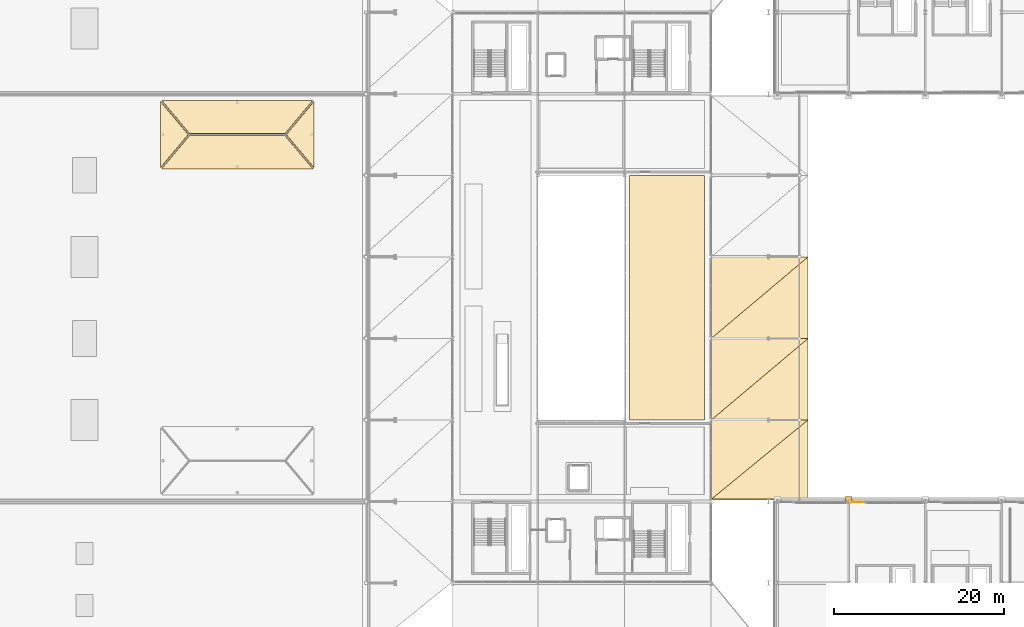
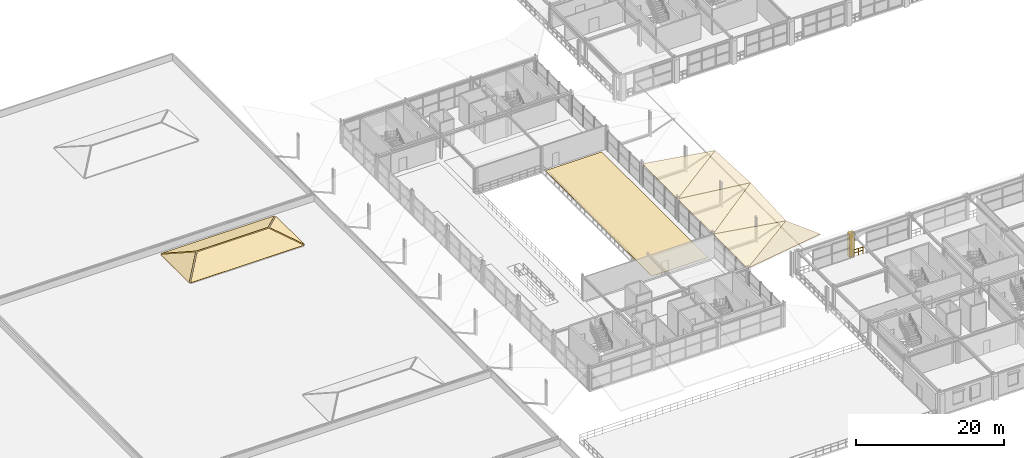
# One storey, part 69 of 81: 12 coverings, 1 railing.
"""IFC4 building model written with IfcOpenShell, lengths in metres."""

import ifcopenshell
import ifcopenshell.guid

model = None  # the IFC model being written
_history = None  # IfcOwnerHistory: only IFC2X3 demands one
_inside = {}  # id of a spatial element -> (the spatial element, [elements in it])
_under = {}  # id of a project, library or spatial element -> (it, [spatial elements below it])
_declared = {}  # id of a project -> (the project, [libraries it declares])
_typed = {}  # id of a type object -> (the type object, [elements of that type])
_made_of = {}  # id of a material, layer set ... -> (it, [elements and type objects made of it])


def new_model(schema):
    """Start an empty IFC model of exactly this schema.

    Asked for "IFC4X3", IfcOpenShell would pick the latest addendum, in which some entities
    have other attributes; the version numbers below select the first issue.
    IFC2X3 requires an IfcOwnerHistory on every rooted entity: one is made here for all.
    """
    global model, _history
    if schema == "IFC4X3":
        model = ifcopenshell.file(schema_version=(4, 3, 0, 0))
    else:
        model = ifcopenshell.file(schema=schema)
    _inside.clear()
    _under.clear()
    _declared.clear()
    _typed.clear()
    _made_of.clear()
    _history = None
    if model.schema == "IFC2X3":
        org = make("IfcOrganization", Name="unknown")
        user = make(
            "IfcPersonAndOrganization",
            ThePerson=make("IfcPerson", FamilyName="unknown"),
            TheOrganization=org,
        )
        app = make(
            "IfcApplication",
            ApplicationDeveloper=org,
            Version="unknown",
            ApplicationFullName="unknown",
            ApplicationIdentifier="unknown",
        )
        _history = make(
            "IfcOwnerHistory",
            OwningUser=user,
            OwningApplication=app,
            ChangeAction="ADDED",
            CreationDate=0,
        )
    return model


def make(cls, **values):
    """One entity of the class cls with the attributes given. An attribute that is None is left unset."""
    return model.create_entity(
        cls, **{name: value for name, value in values.items() if value is not None}
    )


def rooted(cls, **values):
    """An entity with a GlobalId (a new one), such as an element, a storey or a relation."""
    return make(cls, GlobalId=ifcopenshell.guid.new(), OwnerHistory=_history, **values)


def si_unit(unit_type, name, prefix=None):
    """IfcSIUnit, for example si_unit("LENGTHUNIT", "METRE", prefix="MILLI")."""
    return make("IfcSIUnit", UnitType=unit_type, Prefix=prefix, Name=name)


def assignment(units):
    """IfcUnitAssignment: the units of a project."""
    return None if units is None else make("IfcUnitAssignment", Units=units)


def point(xyz):
    """IfcCartesianPoint."""
    return None if xyz is None else make("IfcCartesianPoint", Coordinates=xyz)


def direction(xyz):
    """IfcDirection."""
    return None if xyz is None else make("IfcDirection", DirectionRatios=xyz)


def frame(location, z_axis=None, x_axis=None):
    """IfcAxis2Placement3D, a coordinate frame: its origin and axes. An axis left out is left unset."""
    return make(
        "IfcAxis2Placement3D",
        Location=point(location),
        Axis=direction(z_axis),
        RefDirection=direction(x_axis),
    )


def frame_2d(location, x_axis=None):
    """IfcAxis2Placement2D, a coordinate frame in the plane: its origin and x axis."""
    return make(
        "IfcAxis2Placement2D", Location=point(location), RefDirection=direction(x_axis)
    )


def origin():
    """The frame at (0, 0, 0) with its axes left unset."""
    return frame((0.0, 0.0, 0.0))


def origin_2d():
    """The frame at (0, 0) in the plane with its x axis left unset."""
    return frame_2d((0.0, 0.0))


def place(relative_to, where):
    """IfcLocalPlacement: puts the frame where relative to a parent placement (None: the world)."""
    return make(
        "IfcLocalPlacement", PlacementRelTo=relative_to, RelativePlacement=where
    )


def context(
    kind, dimensions, precision=None, world=None, true_north=None, identifier=None
):
    """IfcGeometricRepresentationContext, for example the 3D "Model" context."""
    return make(
        "IfcGeometricRepresentationContext",
        ContextIdentifier=identifier,
        ContextType=kind,
        CoordinateSpaceDimension=dimensions,
        Precision=precision,
        WorldCoordinateSystem=world,
        TrueNorth=true_north,
    )


def subcontext(parent, identifier, kind, view, scale=None):
    """IfcGeometricRepresentationSubContext, for example "Body" below "Model"."""
    return make(
        "IfcGeometricRepresentationSubContext",
        ContextIdentifier=identifier,
        ContextType=kind,
        ParentContext=parent,
        TargetScale=scale,
        TargetView=view,
    )


def project(units=None, contexts=None):
    """IfcProject with its units and contexts."""
    return rooted(
        "IfcProject",
        Name="project",
        RepresentationContexts=contexts,
        UnitsInContext=assignment(units),
    )


def spatial(cls, under=None, at=None, **own):
    """A site, building, storey or space (cls), placed at a placement, below another one or the project."""
    s = rooted(cls, ObjectPlacement=at, **own)
    if under is not None:
        _under.setdefault(under.id(), (under, []))[1].append(s)
    return s


def polyline(points):
    """IfcPolyline through the points."""
    return make("IfcPolyline", Points=[point(p) for p in points])


def profile(cls, at=None, kind="AREA", **sizes):
    """A parametric profile (cls). Its sizes go by their IFC names, for example OverallWidth=200.0."""
    return make(cls, ProfileType=kind, Position=at, **sizes)


def rectangle(**sizes):
    """IfcRectangleProfileDef."""
    return profile("IfcRectangleProfileDef", **sizes)


def outline(outer, holes=None, kind="AREA"):
    """IfcArbitraryClosedProfileDef: a profile drawn as a closed curve; with holes, ...WithVoids."""
    if holes is None:
        return make("IfcArbitraryClosedProfileDef", ProfileType=kind, OuterCurve=outer)
    return make(
        "IfcArbitraryProfileDefWithVoids",
        ProfileType=kind,
        OuterCurve=outer,
        InnerCurves=holes,
    )


def extrude(swept, where, along, depth):
    """IfcExtrudedAreaSolid: the profile swept, set in the frame where, extruded along a direction by depth."""
    return make(
        "IfcExtrudedAreaSolid",
        SweptArea=swept,
        Position=where,
        ExtrudedDirection=direction(along),
        Depth=depth,
    )


def shape(context_of_items, identifier, shape_type, items):
    """IfcShapeRepresentation: the items that make up one representation, for example the "Body"."""
    return make(
        "IfcShapeRepresentation",
        ContextOfItems=context_of_items,
        RepresentationIdentifier=identifier,
        RepresentationType=shape_type,
        Items=items,
    )


def material(Name=None, Category=None):
    """IfcMaterial."""
    return make("IfcMaterial", Name=Name, Category=Category)


def layer(
    of_material, thickness, ventilated=None, Name=None, Category=None, Priority=None
):
    """IfcMaterialLayer: one layer of a wall or slab, of a material (None: an air gap)."""
    return make(
        "IfcMaterialLayer",
        Material=of_material,
        LayerThickness=thickness,
        IsVentilated=ventilated,
        Name=Name,
        Category=Category,
        Priority=Priority,
    )


def layer_set(layers, Name=None):
    """IfcMaterialLayerSet."""
    return make("IfcMaterialLayerSet", MaterialLayers=layers, LayerSetName=Name)


def made_of(thing, what):
    """Note that an element or type object is made of a material, layer set ...; save() writes the relation."""
    if what is not None:
        _made_of.setdefault(what.id(), (what, []))[1].append(thing)
    return thing


def type_object(cls, material=None, **own):
    """A type object (cls), such as IfcWallType, which elements share."""
    return made_of(rooted(cls, **own), material)


def element(
    cls,
    number,
    at=None,
    inside=None,
    cuts=None,
    type_object=None,
    material=None,
    context=None,
    identifier="Body",
    shape_type=None,
    held_by="IfcProductDefinitionShape",
    body=None,
    shapes=None,
    **own,
):
    """One element of the class cls, such as IfcWall. Its Tag is "e" and its number.

    at: its placement. inside: the storey or other place that contains it. cuts: it is an
    opening in that element (IfcRelVoidsElement). A single representation is given by context,
    identifier, shape_type and body (its items); several are given by shapes. held_by: the class
    of the entity that holds the representations. save() writes the other relations.
    """
    e = rooted(cls, Tag="e%d" % number, ObjectPlacement=at, **own)
    if body is not None:
        shapes = [shape(context, identifier, shape_type, body)]
    if shapes is not None:
        e.Representation = make(held_by, Representations=shapes)
    if inside is not None:
        _inside.setdefault(inside.id(), (inside, []))[1].append(e)
    if cuts is not None:
        rooted(
            "IfcRelVoidsElement", RelatingBuildingElement=cuts, RelatedOpeningElement=e
        )
    if type_object is not None:
        _typed.setdefault(type_object.id(), (type_object, []))[1].append(e)
    return made_of(e, material)


def aggregate(whole, parts):
    """IfcRelAggregates: a whole, such as a stair, and the parts it consists of."""
    return rooted("IfcRelAggregates", RelatingObject=whole, RelatedObjects=parts)


def save(model, path):
    """Write the relations noted so far, then the file.

    IfcRelAggregates (storeys below a building ...), IfcRelContainedInSpatialStructure (elements
    in a storey), IfcRelDefinesByType, IfcRelAssociatesMaterial and IfcRelDeclares: one each for
    every whole, place, type object, material and project.
    """
    for whole, parts in _under.values():
        aggregate(whole, parts)
    for where, things in _inside.values():
        rooted(
            "IfcRelContainedInSpatialStructure",
            RelatedElements=things,
            RelatingStructure=where,
        )
    for kind, things in _typed.values():
        rooted("IfcRelDefinesByType", RelatedObjects=things, RelatingType=kind)
    for what, things in _made_of.values():
        rooted("IfcRelAssociatesMaterial", RelatedObjects=things, RelatingMaterial=what)
    for by, libraries in _declared.values():
        rooted("IfcRelDeclares", RelatingContext=by, RelatedDefinitions=libraries)
    model.write(path)


model = new_model("IFC4")

# Units and contexts
model_context = context("Model", 3, precision=1e-05, world=origin(), true_north=direction((0.0, 1.0)))
body_context = subcontext(model_context, "Body", "Model", "MODEL_VIEW")
ifc_project = project(units=[si_unit("LENGTHUNIT", "METRE"), si_unit("AREAUNIT", "SQUARE_METRE"), si_unit("VOLUMEUNIT", "CUBIC_METRE"), si_unit("PLANEANGLEUNIT", "RADIAN"), si_unit("MASSUNIT", "GRAM", prefix="KILO")], contexts=[model_context])

# Site, building, storey
site_placement = place(None, origin())
site = spatial("IfcSite", under=ifc_project, at=site_placement, CompositionType="ELEMENT")
building_placement = place(site_placement, origin())
building = spatial("IfcBuilding", under=site, at=building_placement, Name="Myrtia Square Station", CompositionType="ELEMENT")
storey_placement = place(building_placement, frame((0.0, 0.0, 10.800048828125)))
storey = spatial("IfcBuildingStorey", under=building, at=storey_placement, Name="L02", CompositionType="ELEMENT", Elevation=10.800048828125)

# Coverings
ifc_material_1 = material(Name="Pentelic marble ashlar", Category="masonry")
ifc_layer_1 = layer(ifc_material_1, 0.4599609375, Name="Pentelic marble ashlar")
ifc_layer_set_1 = layer_set([ifc_layer_1], Name="Pentelic marble ashlar")
covering_type_1 = type_object("IfcCoveringType", Name="COV-ARCH-ASHLAR", PredefinedType="CLADDING", material=ifc_layer_set_1)
covering_1_placement = place(storey_placement, frame((126.0, 38.719970703125, -0.0400390625), z_axis=(0.0, 0.0, 1.0), x_axis=(1.0, 0.0, 0.0)))
element("IfcCovering", 1, at=covering_1_placement, inside=storey, type_object=covering_type_1, Name="Classical Pentelic ashlar pilaster 013", PredefinedType="CLADDING", context=body_context, shape_type="SweptSolid", body=[
    extrude(rectangle(XDim=0.780029296875, YDim=0.56005859375, at=origin_2d()), origin(), (0.0, 0.0, 1.0), 3.93994140625),
])
ifc_material_2 = material(Name="Terrazzo stone tile", Category="masonry")
ifc_layer_2 = layer(ifc_material_2, 0.02490234375, Name="Terrazzo stone tile")
ifc_layer_set_2 = layer_set([ifc_layer_2], Name="Terrazzo stone tile")
covering_type_2 = type_object("IfcCoveringType", Name="COV-FLR-TERRAZZO", PredefinedType="FLOORING", material=ifc_layer_set_2)
covering_2_placement = place(storey_placement, origin())
element("IfcCovering", 2, at=covering_2_placement, inside=storey, type_object=covering_type_2, Name="Terrazzo concourse flooring L02-04", PredefinedType="FLOORING", context=body_context, shape_type="SweptSolid", body=[
    extrude(outline(polyline([(100.199951171875, 76.799072265625), (109.0, 76.799072265625), (109.0, 48.0009765625), (100.199951171875, 48.0009765625), (100.199951171875, 76.799072265625)])), origin(), (0.0, 0.0, 1.0), 0.02490234375),
])
ifc_material_3 = material(Name="Terracotta clay barrel tiles", Category="masonry")
ifc_layer_3 = layer(ifc_material_3, 0.06494140625, Name="Terracotta clay barrel tiles")
ifc_layer_set_3 = layer_set([ifc_layer_3], Name="Terracotta clay barrel tiles")
covering_type_3 = type_object("IfcCoveringType", Name="COV-TILE-TERRACOTTA", PredefinedType="ROOFING", material=ifc_layer_set_3)
covering_3_placement = place(storey_placement, frame((121.191162109375, 38.672607421875, 5.295166015625), z_axis=(-0.137173530302, 0.345947029423, 0.928172438407), x_axis=(0.0, 0.937030154481, -0.349248463981)))
element("IfcCovering", 3, at=covering_3_placement, inside=storey, type_object=covering_type_3, Name="Terracotta clay barrel-tile roofing 085", PredefinedType="ROOFING", context=body_context, shape_type="SweptSolid", body=[
    extrude(outline(polyline([(0.0, 0.0), (9.97817783228229, 5.551115123125783e-17), (0.5884188598462441, 11.50894012722474), (0.0, 0.0)])), origin(), (0.0, 0.0, -1.0), 0.06494140625),
])
covering_4_placement = place(storey_placement, frame((109.81005859375, 38.64990234375, 3.6142578125), z_axis=(0.155964745994, 0.0, 0.987762622297), x_axis=(0.767503338735, 0.629485873582, -0.121186467855)))
element("IfcCovering", 4, at=covering_4_placement, inside=storey, type_object=covering_type_3, Name="Terracotta clay barrel-tile roofing 086", PredefinedType="ROOFING", context=body_context, shape_type="SweptSolid", body=[
    extrude(outline(polyline([(0.0, 0.0), (14.85354643949564, -4.996003610813204e-16), (5.885754391217313, 7.26513739909149), (0.0, 0.0)])), origin(), (0.0, 0.0, -1.0), 0.06494140625),
])
covering_5_placement = place(storey_placement, frame((109.81005859375, 47.996826171875, 3.614013671875), z_axis=(0.155774889274, -0.049326756183, 0.986560213568), x_axis=(0.987762622297, 0.0, -0.155964745994)))
element("IfcCovering", 5, at=covering_5_placement, inside=storey, type_object=covering_type_3, Name="Terracotta clay barrel-tile roofing 087", PredefinedType="ROOFING", context=body_context, shape_type="SweptSolid", body=[
    extrude(outline(polyline([(0.0, 0.0), (11.54138274423138, 0.0), (11.466522712340646, 9.611553711417551), (0.0, 0.0)])), origin(), (0.0, 0.0, -1.0), 0.06494140625),
])
covering_6_placement = place(storey_placement, frame((109.8076171875, 48.0, 3.614501953125), z_axis=(0.115027836272, 0.0, 0.993362268703), x_axis=(0.76192236051, 0.641630853214, -0.088227913721)))
element("IfcCovering", 6, at=covering_6_placement, inside=storey, type_object=covering_type_3, Name="Terracotta clay barrel-tile roofing 088", PredefinedType="ROOFING", context=body_context, shape_type="SweptSolid", body=[
    extrude(outline(polyline([(0.0, 0.0), (14.962026230761545, -5.967448757360216e-16), (6.159718850114986, 7.3634053736756115), (0.0, 0.0)])), origin(), (0.0, 0.0, -1.0), 0.06494140625),
])
covering_7_placement = place(storey_placement, frame((109.8076171875, 57.603271484375, 3.614501953125), z_axis=(0.114886223112, 0.049605704399, 0.992139319768), x_axis=(0.993362268703, 0.0, -0.115027836272)))
element("IfcCovering", 7, at=covering_7_placement, inside=storey, type_object=covering_type_3, Name="Terracotta clay barrel-tile roofing 089", PredefinedType="ROOFING", context=body_context, shape_type="SweptSolid", body=[
    extrude(outline(polyline([(0.0, 0.0), (11.476077462289098, 0.0), (11.531288577062147, 9.611686662841475), (0.0, 0.0)])), origin(), (0.0, 0.0, -1.0), 0.06494140625),
])
covering_8_placement = place(storey_placement, frame((109.81005859375, 57.60009765625, 3.6142578125), z_axis=(0.155964745994, 0.0, 0.987762622297), x_axis=(0.759401301706, 0.639477858109, -0.119907180586)))
element("IfcCovering", 8, at=covering_8_placement, inside=storey, type_object=covering_type_3, Name="Terracotta clay barrel-tile roofing 090", PredefinedType="ROOFING", context=body_context, shape_type="SweptSolid", body=[
    extrude(outline(polyline([(0.0, 0.0), (15.012018624099145, 5.551115123125783e-16), (6.138893764327976, 7.380458716892384), (0.0, 0.0)])), origin(), (0.0, 0.0, -1.0), 0.06494140625),
])
for number, where, z_axis, x_axis, name in (
    (9, (45.111083984375, 77.5751953125, 0.251953125), (0.0, -0.380944092894, 0.924598073808), (1.0, 0.0, 0.0), "Terracotta clay barrel-tile roofing 127"),
    (10, (62.888916015625, 85.624755859375, 0.251953125), (0.0, 0.380944092894, 0.924598073808), (-1.0, 0.0, 0.0), "Terracotta clay barrel-tile roofing 128"),
):
    element("IfcCovering", number, at=place(storey_placement, frame(where, z_axis=z_axis, x_axis=x_axis)), inside=storey, type_object=covering_type_3, Name=name, PredefinedType="ROOFING", context=body_context, shape_type="SweptSolid", body=[
        extrude(outline(polyline([(0.0, 0.0), (17.77783203125, 0.0), (14.4892578125, 4.23431453450517), (3.28857421875, 4.23431453450517), (0.0, 0.0)])), origin(), (0.0, 0.0, -1.0), 0.06494140625),
    ])
covering_9_placement = place(storey_placement, frame((44.971435546875, 85.4677734375, 0.250244140625), z_axis=(-0.440400369872, 0.0, 0.897801489315), x_axis=(0.0, -1.0, 0.0)))
element("IfcCovering", 11, at=covering_9_placement, inside=storey, type_object=covering_type_3, Name="Terracotta clay barrel-tile roofing 129", PredefinedType="ROOFING", context=body_context, shape_type="SweptSolid", body=[
    extrude(outline(polyline([(0.0, 0.0), (7.735595703125, 0.0), (3.86767578125, 3.6188661704910166), (0.0, 0.0)])), origin(), (0.0, 0.0, -1.0), 0.06494140625),
])
covering_10_placement = place(storey_placement, frame((63.028564453125, 77.732177734375, 0.250244140625), z_axis=(0.440400369872, 0.0, 0.897801489315), x_axis=(0.0, 1.0, 0.0)))
element("IfcCovering", 12, at=covering_10_placement, inside=storey, type_object=covering_type_3, Name="Terracotta clay barrel-tile roofing 130", PredefinedType="ROOFING", context=body_context, shape_type="SweptSolid", body=[
    extrude(outline(polyline([(0.0, 0.0), (7.735595703125, 0.0), (3.867919921875, 3.6188661704910166), (0.0, 0.0)])), origin(), (0.0, 0.0, -1.0), 0.06494140625),
])

# Railing
ifc_material_4 = material(Name="Wrought iron", Category="steel")
railing_type = type_object("IfcRailingType", Name="RL-INT-GUARD-1100", PredefinedType="BALUSTRADE", material=ifc_material_4)
railing_placement = place(storey_placement, frame((127.699951171875, 38.320068359375, 0.0)))
element("IfcRailing", 13, at=railing_placement, inside=storey, type_object=railing_type, Name="Perimeter slab edge balustrade L02-046", PredefinedType="BALUSTRADE", context=body_context, shape_type="SweptSolid", body=[
    extrude(rectangle(XDim=0.048095703125, YDim=0.048095703125, at=origin_2d()), frame((-0.03466796875, 0.0, 1.09619140625), z_axis=(-1.0, 0.0, 0.0), x_axis=(0.0, -1.0, 0.0)), (0.0, 0.0, 1.0), 0.6806640625),
    extrude(rectangle(XDim=0.048095703125, YDim=0.048095703125, at=origin_2d()), frame((-0.03466796875, 0.0, 0.58251953125), z_axis=(-1.0, 0.0, 0.0), x_axis=(0.0, -1.0, 0.0)), (0.0, 0.0, 1.0), 0.6806640625),
    extrude(rectangle(XDim=0.048095703125, YDim=0.048095703125, at=origin_2d()), frame((-0.78466796875, 0.0, 1.09619140625), z_axis=(-1.0, 0.0, 0.0), x_axis=(0.0, -1.0, 0.0)), (0.0, 0.0, 1.0), 0.6806640625),
    extrude(rectangle(XDim=0.048095703125, YDim=0.048095703125, at=origin_2d()), frame((-0.78466796875, 0.0, 0.58251953125), z_axis=(-1.0, 0.0, 0.0), x_axis=(0.0, -1.0, 0.0)), (0.0, 0.0, 1.0), 0.6806640625),
    extrude(rectangle(XDim=0.0439453125, YDim=0.0439453125, at=origin_2d()), origin(), (0.0, 0.0, 1.0), 1.1201171875),
    extrude(rectangle(XDim=0.0439453125, YDim=0.0439453125, at=origin_2d()), frame((-0.75, 0.0, 0.0)), (0.0, 0.0, 1.0), 1.1201171875),
    extrude(rectangle(XDim=0.0439453125, YDim=0.0439453125, at=origin_2d()), frame((-1.5, 0.0, 0.0)), (0.0, 0.0, 1.0), 1.1201171875),
])

save(model, "model.ifc")
